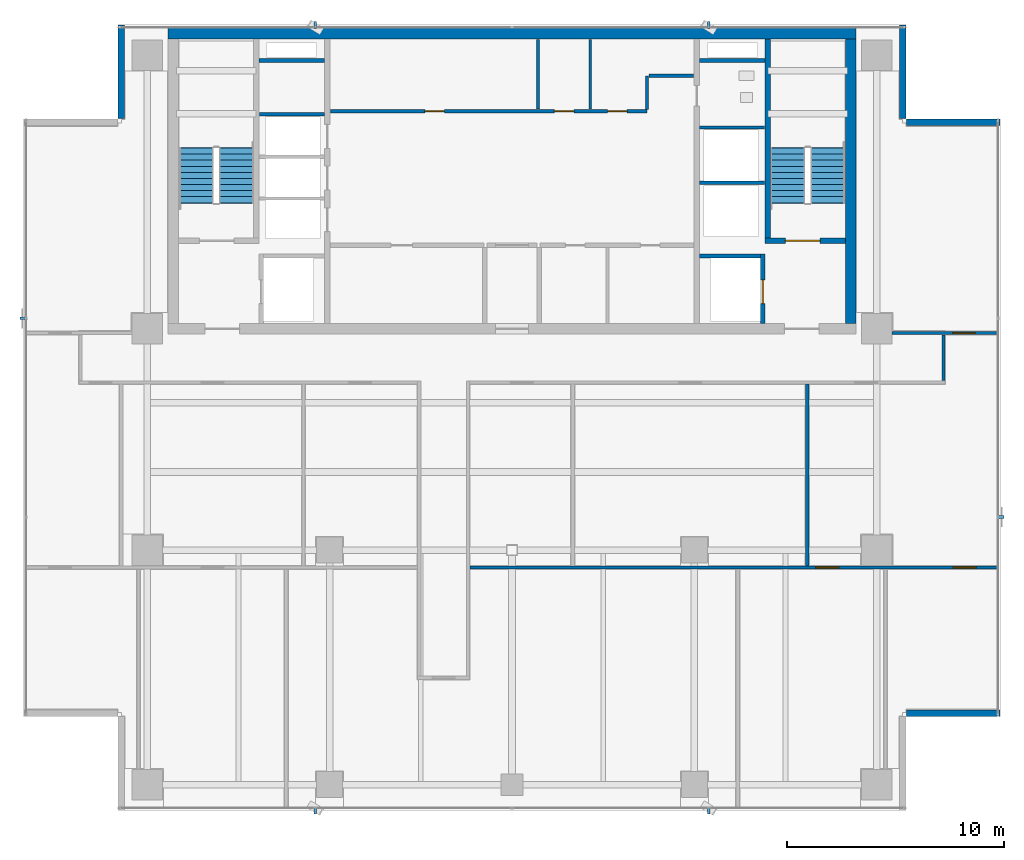
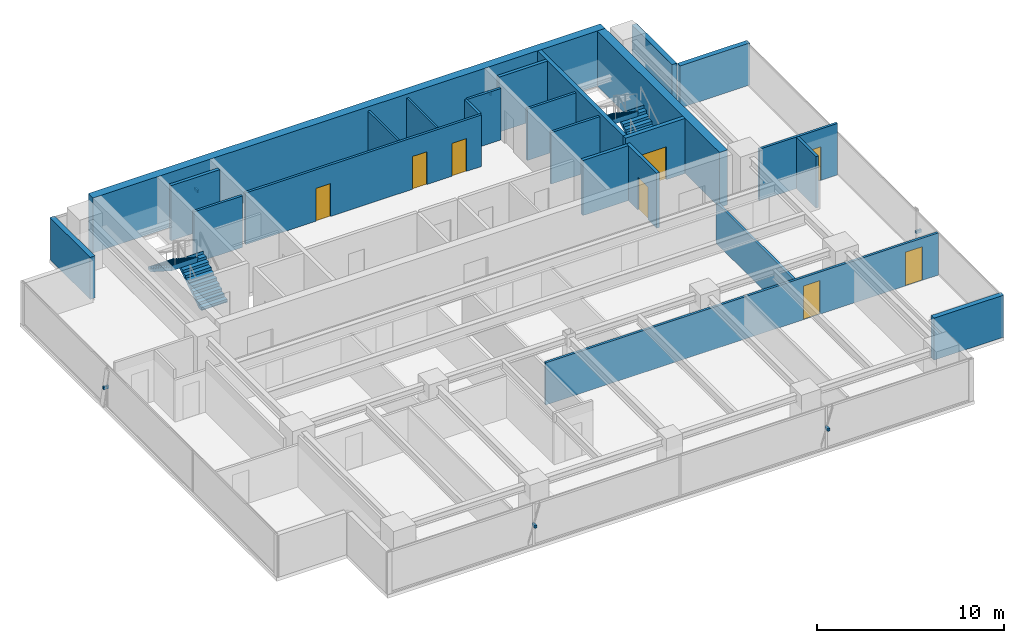
# One storey, part 21 of 26: 24 walls, 8 doors, 6 discrete accessories, 4 stair flights, 8 openings, 2 elements without a shape of their own.
"""IFC4 building model written with IfcOpenShell, lengths in metres."""

from ifc_helpers import new_model, si_unit, direction, frame, frame_2d, origin, origin_2d, place, context, subcontext, project, spatial, polyline, rectangle, outline, extrude, source, transform, mapped, material, layer, layer_set, material_profile, profile_set, type_object, element, fill, aggregate, save


model = new_model("IFC4")

# Units and contexts
model_context = context("Model", 3, precision=1e-05, world=origin(), true_north=direction((0.0, 1.0)))
body_context = subcontext(model_context, "Body", "Model", "MODEL_VIEW")
ifc_project = project(units=[si_unit("LENGTHUNIT", "METRE"), si_unit("AREAUNIT", "SQUARE_METRE"), si_unit("VOLUMEUNIT", "CUBIC_METRE"), si_unit("PLANEANGLEUNIT", "RADIAN"), si_unit("MASSUNIT", "GRAM", prefix="KILO")], contexts=[model_context])

# Site, building, storey
site_placement = place(None, origin())
site = spatial("IfcSite", under=ifc_project, at=site_placement, CompositionType="ELEMENT")
building_placement = place(site_placement, origin())
building = spatial("IfcBuilding", under=site, at=building_placement, Name="Sumidabori Civic Tower", CompositionType="ELEMENT")
storey_placement = place(building_placement, frame((0.0, 0.0, 243.199951171875)))
storey = spatial("IfcBuildingStorey", under=building, at=storey_placement, Name="L63", CompositionType="ELEMENT", Elevation=243.199951171875)

# Walls
ifc_material_1 = material(Name="Concrete C50/60", Category="concrete")
ifc_layer_1 = layer(ifc_material_1, 0.199951171875, Name="Concrete C50/60")
ifc_layer_set_1 = layer_set([ifc_layer_1], Name="Concrete C50/60")
wall_type_1 = type_object("IfcWallType", Name="WL-SHAFT-200", PredefinedType="SHEAR", material=ifc_layer_set_1)
shared_shape_1 = source(origin(), body_context, "Body", "SweptSolid", [
    extrude(rectangle(XDim=2.824951171875, YDim=0.199951171875, at=frame_2d((1.41259765625, 0.0))), origin(), (0.0, 0.0, 1.0), 3.60009765625),
])
wall_1_placement = place(storey_placement, frame((8.625, 13.550048828125, 0.0), z_axis=(0.0, 0.0, 1.0), x_axis=(1.0, 0.0, 0.0)))
element("IfcWall", 1, at=wall_1_placement, inside=storey, type_object=wall_type_1, Name="Core Shear Wall L63 EL2-N", PredefinedType="SHEAR", context=body_context, shape_type="MappedRepresentation", body=[
    mapped(shared_shape_1, transform((0.0, 0.0, 0.0), x_axis=(1.0, 0.0, 0.0), y_axis=(0.0, 1.0, 0.0), z_axis=(0.0, 0.0, 1.0), scale=1.0)),
])
shared_shape_2 = source(origin(), body_context, "Body", "SweptSolid", [
    extrude(rectangle(XDim=3.02001953125, YDim=0.199951171875, at=frame_2d((1.510009765625, 0.0))), origin(), (0.0, 0.0, 1.0), 3.60009765625),
])
for number, where, z_axis, x_axis, name in (
    (2, (-11.64501953125, 22.550048828125, 0.0), (0.0, 0.0, 1.0), (1.0, 0.0, 0.0), "Core Shear Wall L63 RIS1-S"),
    (3, (8.625, 22.550048828125, 0.0), (0.0, 0.0, 1.0), (1.0, 0.0, 0.0), "Core Shear Wall L63 RIS2-S"),
):
    element("IfcWall", number, at=place(storey_placement, frame(where, z_axis=z_axis, x_axis=x_axis)), inside=storey, type_object=wall_type_1, Name=name, PredefinedType="SHEAR", context=body_context, shape_type="MappedRepresentation", body=[
        mapped(shared_shape_2, transform((0.0, 0.0, 0.0), x_axis=(1.0, 0.0, 0.0), y_axis=(0.0, 1.0, 0.0), z_axis=(0.0, 0.0, 1.0), scale=1.0)),
    ])
ifc_layer_2 = layer(ifc_material_1, 0.5, Name="Concrete C50/60")
ifc_layer_set_2 = layer_set([ifc_layer_2], Name="Concrete C50/60")
wall_type_2 = type_object("IfcWallType", Name="WL-CORE-500", PredefinedType="SHEAR", material=ifc_layer_set_2)
shared_shape_3 = source(origin(), body_context, "Body", "SweptSolid", [
    extrude(rectangle(XDim=31.7001953125, YDim=0.5, at=frame_2d((15.85009765625, 0.0))), origin(), (0.0, 0.0, 1.0), 3.60009765625),
])
wall_2_placement = place(storey_placement, frame((-15.85009765625, 23.800048828125, 0.0), z_axis=(0.0, 0.0, 1.0), x_axis=(1.0, 0.0, 0.0)))
element("IfcWall", 4, at=wall_2_placement, inside=storey, type_object=wall_type_2, Name="Core Shear Wall L63 N", PredefinedType="SHEAR", context=body_context, shape_type="MappedRepresentation", body=[
    mapped(shared_shape_3, transform((0.0, 0.0, 0.0), x_axis=(1.0, 0.0, 0.0), y_axis=(0.0, 1.0, 0.0), z_axis=(0.0, 0.0, 1.0), scale=1.0)),
])
shared_shape_4 = source(origin(), body_context, "Body", "SweptSolid", [
    extrude(rectangle(XDim=13.10009765625, YDim=0.5, at=frame_2d((6.550048828125, 0.0))), origin(), (0.0, 0.0, 1.0), 3.60009765625),
])
wall_3_placement = place(storey_placement, frame((15.60009765625, 10.449951171875, 0.0), z_axis=(0.0, 0.0, 1.0), x_axis=(0.0, 1.0, 0.0)))
element("IfcWall", 5, at=wall_3_placement, inside=storey, type_object=wall_type_2, Name="Core Shear Wall L63 E", PredefinedType="SHEAR", context=body_context, shape_type="MappedRepresentation", body=[
    mapped(shared_shape_4, transform((0.0, 0.0, 0.0), x_axis=(1.0, 0.0, 0.0), y_axis=(0.0, 1.0, 0.0), z_axis=(0.0, 0.0, 1.0), scale=1.0)),
])

# Wall, opening, door
ifc_layer_3 = layer(ifc_material_1, 0.25, Name="Concrete C50/60")
ifc_layer_set_3 = layer_set([ifc_layer_3], Name="Concrete C50/60")
wall_type_3 = type_object("IfcWallType", Name="WL-SHAFT-250", PredefinedType="SHEAR", material=ifc_layer_set_3)
shared_shape_5 = source(origin(), body_context, "Body", "SweptSolid", [
    extrude(rectangle(XDim=3.705078125, YDim=0.25, at=frame_2d((1.8525390625, 0.0))), origin(), (0.0, 0.0, 1.0), 3.60009765625),
])
wall_4_placement = place(storey_placement, frame((11.64501953125, 14.25, 0.0), z_axis=(0.0, 0.0, 1.0), x_axis=(1.0, 0.0, 0.0)))
wall_4 = element("IfcWall", 6, at=wall_4_placement, inside=storey, type_object=wall_type_3, Name="Core Shear Wall L63 ST2-S", PredefinedType="SHEAR", context=body_context, shape_type="MappedRepresentation", body=[
    mapped(shared_shape_5, transform((0.0, 0.0, 0.0), x_axis=(1.0, 0.0, 0.0), y_axis=(0.0, 1.0, 0.0), z_axis=(0.0, 0.0, 1.0), scale=1.0)),
])
opening_1_placement = place(wall_4_placement, frame((0.949951171875, 0.0, 0.0)))
opening_1 = element("IfcOpeningElement", 7, at=opening_1_placement, cuts=wall_4, Name="Opening DR-FD4", PredefinedType="OPENING", context=body_context, shape_type="SweptSolid", body=[
    extrude(rectangle(XDim=1.60009765625, YDim=2.14990234375, at=frame_2d((0.800048828125, 1.074951171875))), frame((0.0, 0.136962890625, 0.0), z_axis=(0.0, -1.0, 0.0), x_axis=(1.0, 0.0, 0.0)), (0.0, 0.0, 1.0), 0.27392578125),
])
ifc_material_2 = material(Name="Steel SN490", Category="steel")
door_type_1 = type_object("IfcDoorType", Name="DR-FD4", OperationType="DOUBLE_DOOR_SINGLE_SWING", PredefinedType="DOOR", material=ifc_material_2)
shared_shape_6 = source(origin(), body_context, "Body", "SweptSolid", [
    extrude(rectangle(XDim=1.60009765625, YDim=2.14990234375, at=frame_2d((0.800048828125, 1.074951171875))), frame((0.0, 0.02490234375, 0.0), z_axis=(0.0, -1.0, 0.0), x_axis=(1.0, 0.0, 0.0)), (0.0, 0.0, 1.0), 0.050048828125),
])
door_1_placement = place(opening_1_placement, origin())
door_1 = element("IfcDoor", 8, at=door_1_placement, inside=storey, type_object=door_type_1, Name="Door DR:L63:ST2", OperationType="DOUBLE_DOOR_SINGLE_SWING", OverallHeight=2.14990234375, OverallWidth=1.60009765625, PredefinedType="DOOR", context=body_context, shape_type="MappedRepresentation", body=[
    mapped(shared_shape_6, transform((0.0, 0.0, 0.0), x_axis=(1.0, 0.0, 0.0), y_axis=(0.0, 1.0, 0.0), z_axis=(0.0, 0.0, 1.0), scale=1.0)),
])
fill(opening_1, door_1)

# Wall
shared_shape_7 = source(origin(), body_context, "Body", "SweptSolid", [
    extrude(rectangle(XDim=9.175048828125, YDim=0.25, at=frame_2d((4.58740234375, 0.0))), origin(), (0.0, 0.0, 1.0), 3.60009765625),
])
wall_5_placement = place(storey_placement, frame((11.77001953125, 14.375, 0.0), z_axis=(0.0, 0.0, 1.0), x_axis=(0.0, 1.0, 0.0)))
element("IfcWall", 9, at=wall_5_placement, inside=storey, type_object=wall_type_3, Name="Core Shear Wall L63 ST2-W", PredefinedType="SHEAR", context=body_context, shape_type="MappedRepresentation", body=[
    mapped(shared_shape_7, transform((0.0, 0.0, 0.0), x_axis=(1.0, 0.0, 0.0), y_axis=(0.0, 1.0, 0.0), z_axis=(0.0, 0.0, 1.0), scale=1.0)),
])

# Wall, opening, door
shared_shape_8 = source(origin(), body_context, "Body", "SweptSolid", [
    extrude(rectangle(XDim=3.199951171875, YDim=0.199951171875, at=frame_2d((1.60009765625, 0.0))), origin(), (0.0, 0.0, 1.0), 3.60009765625),
])
wall_6_placement = place(storey_placement, frame((11.550048828125, 10.449951171875, 0.0), z_axis=(0.0, 0.0, 1.0), x_axis=(0.0, 1.0, 0.0)))
wall_6 = element("IfcWall", 10, at=wall_6_placement, inside=storey, type_object=wall_type_1, Name="Core Shear Wall L63 EL2-E", PredefinedType="SHEAR", context=body_context, shape_type="MappedRepresentation", body=[
    mapped(shared_shape_8, transform((0.0, 0.0, 0.0), x_axis=(1.0, 0.0, 0.0), y_axis=(0.0, 1.0, 0.0), z_axis=(0.0, 0.0, 1.0), scale=1.0)),
])
opening_2_placement = place(wall_6_placement, frame((0.89990234375, 0.0, 0.0)))
opening_2 = element("IfcOpeningElement", 11, at=opening_2_placement, cuts=wall_6, Name="Opening LD-2", PredefinedType="OPENING", context=body_context, shape_type="SweptSolid", body=[
    extrude(rectangle(XDim=1.10009765625, YDim=2.14990234375, at=frame_2d((0.550048828125, 1.074951171875))), frame((0.0, 0.11181640625, 0.0), z_axis=(0.0, -1.0, 0.0), x_axis=(1.0, 0.0, 0.0)), (0.0, 0.0, 1.0), 0.223876953125),
])
ifc_material_3 = material(Name="Stainless Steel Hairline Finish", Category="steel")
door_type_2 = type_object("IfcDoorType", Name="DR-LD2", OperationType="DOUBLE_DOOR_SLIDING", PredefinedType="DOOR", material=ifc_material_3)
shared_shape_9 = source(origin(), body_context, "Body", "SweptSolid", [
    extrude(rectangle(XDim=1.10009765625, YDim=2.14990234375, at=frame_2d((0.550048828125, 1.074951171875))), frame((0.0, 0.02490234375, 0.0), z_axis=(0.0, -1.0, 0.0), x_axis=(1.0, 0.0, 0.0)), (0.0, 0.0, 1.0), 0.050048828125),
])
door_2_placement = place(opening_2_placement, origin())
door_2 = element("IfcDoor", 12, at=door_2_placement, inside=storey, type_object=door_type_2, Name="Door DR:L63:LD-EL2", OperationType="DOUBLE_DOOR_SLIDING", OverallHeight=2.14990234375, OverallWidth=1.10009765625, PredefinedType="DOOR", context=body_context, shape_type="MappedRepresentation", body=[
    mapped(shared_shape_9, transform((0.0, 0.0, 0.0), x_axis=(1.0, 0.0, 0.0), y_axis=(0.0, 1.0, 0.0), z_axis=(0.0, 0.0, 1.0), scale=1.0)),
])
fill(opening_2, door_2)

# Walls
ifc_material_4 = material(Name="Precast concrete C40/50", Category="concrete")
ifc_layer_4 = layer(ifc_material_4, 0.300048828125, Name="Precast concrete C40/50")
ifc_layer_set_4 = layer_set([ifc_layer_4], Name="Precast concrete C40/50")
wall_type_4 = type_object("IfcWallType", Name="WL-EXT-POD300", PredefinedType="STANDARD", material=ifc_layer_set_4)
shared_shape_10 = source(origin(), body_context, "Body", "SweptSolid", [
    extrude(rectangle(XDim=4.31005859375, YDim=0.300048828125, at=frame_2d((2.155029296875, 0.0))), origin(), (0.0, 0.0, 1.0), 2.75),
])
for number, where, z_axis, x_axis, name in (
    (13, (18.169921875, -7.5, 0.0), (0.0, 0.0, 1.0), (1.0, 0.0, 0.0), "Notched Corner Spandrel Band L63-03"),
    (14, (22.47998046875, 19.699951171875, 0.0), (0.0, 0.0, 1.0), (-1.0, 0.0, 0.0), "Notched Corner Spandrel Band L63-05"),
):
    element("IfcWall", number, at=place(storey_placement, frame(where, z_axis=z_axis, x_axis=x_axis)), inside=storey, type_object=wall_type_4, Name=name, PredefinedType="STANDARD", context=body_context, shape_type="MappedRepresentation", body=[
        mapped(shared_shape_10, transform((0.0, 0.0, 0.0), x_axis=(1.0, 0.0, 0.0), y_axis=(0.0, 1.0, 0.0), z_axis=(0.0, 0.0, 1.0), scale=1.0)),
    ])
shared_shape_11 = source(origin(), body_context, "Body", "SweptSolid", [
    extrude(rectangle(XDim=4.309814453125, YDim=0.300048828125, at=frame_2d((2.15478515625, 0.0))), origin(), (0.0, 0.0, 1.0), 2.75),
])
for number, where, z_axis, x_axis, name in (
    (15, (18.0, 19.8701171875, 0.0), (0.0, 0.0, 1.0), (0.0, 1.0, 0.0), "Notched Corner Spandrel Band L63-06"),
    (16, (-18.0, 24.179931640625, 0.0), (0.0, 0.0, 1.0), (0.0, -1.0, 0.0), "Notched Corner Spandrel Band L63-08"),
):
    element("IfcWall", number, at=place(storey_placement, frame(where, z_axis=z_axis, x_axis=x_axis)), inside=storey, type_object=wall_type_4, Name=name, PredefinedType="STANDARD", context=body_context, shape_type="MappedRepresentation", body=[
        mapped(shared_shape_11, transform((0.0, 0.0, 0.0), x_axis=(1.0, 0.0, 0.0), y_axis=(0.0, 1.0, 0.0), z_axis=(0.0, 0.0, 1.0), scale=1.0)),
    ])
ifc_material_5 = material(Name="Gypsum Plasterboard Acoustic Partition")
ifc_layer_5 = layer(ifc_material_5, 0.14990234375, Name="Gypsum Plasterboard Acoustic Partition")
ifc_layer_set_5 = layer_set([ifc_layer_5], Name="Gypsum Plasterboard Acoustic Partition")
wall_type_5 = type_object("IfcWallType", Name="WL-PART-150", PredefinedType="PARTITIONING", material=ifc_layer_set_5)
shared_shape_12 = source(origin(), body_context, "Body", "SweptSolid", [
    extrude(rectangle(XDim=3.010009765625, YDim=0.14990234375, at=frame_2d((1.5048828125, 0.0))), origin(), (0.0, 0.0, 1.0), 3.3701171875),
])
for number, where, z_axis, x_axis, name in (
    (17, (-11.639892578125, 20.080078125, 0.0), (0.0, 0.0, 1.0), (1.0, 0.0, 0.0), "Interior Partition WL:L63:DIV-PLH3"),
    (18, (8.6298828125, 16.919921875, 0.0), (0.0, 0.0, 1.0), (1.0, 0.0, 0.0), "Interior Partition WL:L63:DIV-OBS1"),
    (19, (8.6298828125, 19.469970703125, 0.0), (0.0, 0.0, 1.0), (1.0, 0.0, 0.0), "Interior Partition WL:L63:DIV-OBS2"),
):
    element("IfcWall", number, at=place(storey_placement, frame(where, z_axis=z_axis, x_axis=x_axis)), inside=storey, type_object=wall_type_5, Name=name, PredefinedType="PARTITIONING", context=body_context, shape_type="MappedRepresentation", body=[
        mapped(shared_shape_12, transform((0.0, 0.0, 0.0), x_axis=(1.0, 0.0, 0.0), y_axis=(0.0, 1.0, 0.0), z_axis=(0.0, 0.0, 1.0), scale=1.0)),
    ])

# Wall, openings, doors
shared_shape_13 = source(origin(), body_context, "Body", "SweptSolid", [
    extrude(rectangle(XDim=14.590087890625, YDim=0.14990234375, at=frame_2d((7.294921875, 0.0))), origin(), (0.0, 0.0, 1.0), 3.3701171875),
])
wall_7_placement = place(storey_placement, frame((-8.3701171875, 20.219970703125, 0.0), z_axis=(0.0, 0.0, 1.0), x_axis=(1.0, 0.0, 0.0)))
wall_7 = element("IfcWall", 20, at=wall_7_placement, inside=storey, type_object=wall_type_5, Name="Interior Partition WL:L63:CBAND-M", PredefinedType="PARTITIONING", context=body_context, shape_type="MappedRepresentation", body=[
    mapped(shared_shape_13, transform((0.0, 0.0, 0.0), x_axis=(1.0, 0.0, 0.0), y_axis=(0.0, 1.0, 0.0), z_axis=(0.0, 0.0, 1.0), scale=1.0)),
])
opening_3_placement = place(wall_7_placement, frame((4.360107421875, 0.0, 0.0)))
opening_3 = element("IfcOpeningElement", 21, at=opening_3_placement, cuts=wall_7, Name="Opening DR-1", PredefinedType="OPENING", context=body_context, shape_type="SweptSolid", body=[
    extrude(rectangle(XDim=0.89990234375, YDim=2.14990234375, at=frame_2d((0.449951171875, 1.074951171875))), frame((0.0, 0.0869140625, 0.0), z_axis=(0.0, -1.0, 0.0), x_axis=(1.0, 0.0, 0.0)), (0.0, 0.0, 1.0), 0.173828125),
])
opening_4_placement = place(wall_7_placement, frame((10.320068359375, 0.0, 0.0)))
opening_4 = element("IfcOpeningElement", 22, at=opening_4_placement, cuts=wall_7, Name="Opening DR-1", PredefinedType="OPENING", context=body_context, shape_type="SweptSolid", body=[
    extrude(rectangle(XDim=0.89990234375, YDim=2.14990234375, at=frame_2d((0.449951171875, 1.074951171875))), frame((0.0, 0.0869140625, 0.0), z_axis=(0.0, -1.0, 0.0), x_axis=(1.0, 0.0, 0.0)), (0.0, 0.0, 1.0), 0.173828125),
])
opening_5_placement = place(wall_7_placement, frame((12.77001953125, 0.0, 0.0)))
opening_5 = element("IfcOpeningElement", 23, at=opening_5_placement, cuts=wall_7, Name="Opening DR-1", PredefinedType="OPENING", context=body_context, shape_type="SweptSolid", body=[
    extrude(rectangle(XDim=0.89990234375, YDim=2.14990234375, at=frame_2d((0.449951171875, 1.074951171875))), frame((0.0, 0.0869140625, 0.0), z_axis=(0.0, -1.0, 0.0), x_axis=(1.0, 0.0, 0.0)), (0.0, 0.0, 1.0), 0.173828125),
])
ifc_material_6 = material(Name="Japanese Hinoki Timber", Category="wood")
door_type_3 = type_object("IfcDoorType", Name="DR-INT-900", OperationType="NOTDEFINED", PredefinedType="DOOR", material=ifc_material_6)
shared_shape_14 = source(origin(), body_context, "Body", "SweptSolid", [
    extrude(rectangle(XDim=0.89990234375, YDim=2.14990234375, at=frame_2d((0.449951171875, 1.074951171875))), frame((0.0, 0.02490234375, 0.0), z_axis=(0.0, -1.0, 0.0), x_axis=(1.0, 0.0, 0.0)), (0.0, 0.0, 1.0), 0.050048828125),
])
door_3_placement = place(opening_3_placement, origin())
door_3 = element("IfcDoor", 24, at=door_3_placement, inside=storey, type_object=door_type_3, Name="Door DR:L63:CB-1", OperationType="SINGLE_SWING_LEFT", OverallHeight=2.14990234375, OverallWidth=0.89990234375, PredefinedType="DOOR", context=body_context, shape_type="MappedRepresentation", body=[
    mapped(shared_shape_14, transform((0.0, 0.0, 0.0), x_axis=(1.0, 0.0, 0.0), y_axis=(0.0, 1.0, 0.0), z_axis=(0.0, 0.0, 1.0), scale=1.0)),
])
fill(opening_3, door_3)
door_4_placement = place(opening_4_placement, origin())
door_4 = element("IfcDoor", 25, at=door_4_placement, inside=storey, type_object=door_type_3, Name="Door DR:L63:CB-2", OperationType="SINGLE_SWING_RIGHT", OverallHeight=2.14990234375, OverallWidth=0.89990234375, PredefinedType="DOOR", context=body_context, shape_type="MappedRepresentation", body=[
    mapped(shared_shape_14, transform((0.0, 0.0, 0.0), x_axis=(1.0, 0.0, 0.0), y_axis=(0.0, 1.0, 0.0), z_axis=(0.0, 0.0, 1.0), scale=1.0)),
])
fill(opening_4, door_4)
door_5_placement = place(opening_5_placement, origin())
door_5 = element("IfcDoor", 26, at=door_5_placement, inside=storey, type_object=door_type_3, Name="Door DR:L63:CB-3", OperationType="SINGLE_SWING_LEFT", OverallHeight=2.14990234375, OverallWidth=0.89990234375, PredefinedType="DOOR", context=body_context, shape_type="MappedRepresentation", body=[
    mapped(shared_shape_14, transform((0.0, 0.0, 0.0), x_axis=(1.0, 0.0, 0.0), y_axis=(0.0, 1.0, 0.0), z_axis=(0.0, 0.0, 1.0), scale=1.0)),
])
fill(opening_5, door_5)

# Walls
shared_shape_15 = source(origin(), body_context, "Body", "SweptSolid", [
    extrude(rectangle(XDim=1.550048828125, YDim=0.14990234375, at=frame_2d((0.77490234375, 0.0))), origin(), (0.0, 0.0, 1.0), 3.3701171875),
])
wall_8_placement = place(storey_placement, frame((6.219970703125, 20.300048828125, 0.0), z_axis=(0.0, 0.0, 1.0), x_axis=(0.0, 1.0, 0.0)))
element("IfcWall", 27, at=wall_8_placement, inside=storey, type_object=wall_type_5, Name="Interior Partition WL:L63:CBAND-ME1", PredefinedType="PARTITIONING", context=body_context, shape_type="MappedRepresentation", body=[
    mapped(shared_shape_15, transform((0.0, 0.0, 0.0), x_axis=(1.0, 0.0, 0.0), y_axis=(0.0, 1.0, 0.0), z_axis=(0.0, 0.0, 1.0), scale=1.0)),
])
shared_shape_16 = source(origin(), body_context, "Body", "SweptSolid", [
    extrude(rectangle(XDim=2.070068359375, YDim=0.14990234375, at=frame_2d((1.03515625, 0.0))), origin(), (0.0, 0.0, 1.0), 3.3701171875),
])
wall_9_placement = place(storey_placement, frame((6.300048828125, 21.85009765625, 0.0), z_axis=(0.0, 0.0, 1.0), x_axis=(1.0, 0.0, 0.0)))
element("IfcWall", 28, at=wall_9_placement, inside=storey, type_object=wall_type_5, Name="Interior Partition WL:L63:CBAND-ME2", PredefinedType="PARTITIONING", context=body_context, shape_type="MappedRepresentation", body=[
    mapped(shared_shape_16, transform((0.0, 0.0, 0.0), x_axis=(1.0, 0.0, 0.0), y_axis=(0.0, 1.0, 0.0), z_axis=(0.0, 0.0, 1.0), scale=1.0)),
])
ifc_layer_6 = layer(ifc_material_5, 0.1201171875, Name="Gypsum Plasterboard Acoustic Partition")
ifc_layer_set_6 = layer_set([ifc_layer_6], Name="Gypsum Plasterboard Acoustic Partition")
wall_type_6 = type_object("IfcWallType", Name="WL-PART-120", PredefinedType="PARTITIONING", material=ifc_layer_set_6)
shared_shape_17 = source(origin(), body_context, "Body", "SweptSolid", [
    extrude(rectangle(XDim=3.18994140625, YDim=0.1201171875, at=frame_2d((1.594970703125, 0.0))), origin(), (0.0, 0.0, 1.0), 3.3701171875),
])
for number, where, z_axis, x_axis, name in (
    (29, (1.199951171875, 20.320068359375, 0.0), (0.0, 0.0, 1.0), (0.0, 1.0, 0.0), "Interior Partition WL:L63:LV8-S1"),
    (30, (3.60009765625, 20.320068359375, 0.0), (0.0, 0.0, 1.0), (0.0, 1.0, 0.0), "Interior Partition WL:L63:LV8-S2"),
):
    element("IfcWall", number, at=place(storey_placement, frame(where, z_axis=z_axis, x_axis=x_axis)), inside=storey, type_object=wall_type_6, Name=name, PredefinedType="PARTITIONING", context=body_context, shape_type="MappedRepresentation", body=[
        mapped(shared_shape_17, transform((0.0, 0.0, 0.0), x_axis=(1.0, 0.0, 0.0), y_axis=(0.0, 1.0, 0.0), z_axis=(0.0, 0.0, 1.0), scale=1.0)),
    ])

# Wall, opening, door
shared_shape_18 = source(origin(), body_context, "Body", "SweptSolid", [
    extrude(rectangle(XDim=4.840087890625, YDim=0.14990234375, at=frame_2d((2.419921875, 0.0))), origin(), (0.0, 0.0, 1.0), 3.3701171875),
])
wall_10_placement = place(storey_placement, frame((17.510009765625, 10.0, 0.0), z_axis=(0.0, 0.0, 1.0), x_axis=(1.0, 0.0, 0.0)))
wall_10 = element("IfcWall", 31, at=wall_10_placement, inside=storey, type_object=wall_type_5, Name="Interior Partition WL:L63:FLK-NE", PredefinedType="PARTITIONING", context=body_context, shape_type="MappedRepresentation", body=[
    mapped(shared_shape_18, transform((0.0, 0.0, 0.0), x_axis=(1.0, 0.0, 0.0), y_axis=(0.0, 1.0, 0.0), z_axis=(0.0, 0.0, 1.0), scale=1.0)),
])
opening_6_placement = place(wall_10_placement, frame((2.780029296875, 0.0, 0.0)))
opening_6 = element("IfcOpeningElement", 32, at=opening_6_placement, cuts=wall_10, Name="Opening DR-4", PredefinedType="OPENING", context=body_context, shape_type="SweptSolid", body=[
    extrude(rectangle(XDim=1.0400390625, YDim=2.199951171875, at=frame_2d((0.52001953125, 1.10009765625))), frame((0.0, 0.0869140625, 0.0), z_axis=(0.0, -1.0, 0.0), x_axis=(1.0, 0.0, 0.0)), (0.0, 0.0, 1.0), 0.173828125),
])
door_type_4 = type_object("IfcDoorType", Name="DR-INT-1040", OperationType="NOTDEFINED", PredefinedType="DOOR", material=ifc_material_6)
shared_shape_19 = source(origin(), body_context, "Body", "SweptSolid", [
    extrude(rectangle(XDim=1.0400390625, YDim=2.199951171875, at=frame_2d((0.52001953125, 1.10009765625))), frame((0.0, 0.02490234375, 0.0), z_axis=(0.0, -1.0, 0.0), x_axis=(1.0, 0.0, 0.0)), (0.0, 0.0, 1.0), 0.050048828125),
])
door_6_placement = place(opening_6_placement, origin())
door_6 = element("IfcDoor", 33, at=door_6_placement, inside=storey, type_object=door_type_4, Name="Door DR:L63:D09", OperationType="SINGLE_SWING_LEFT", OverallHeight=2.199951171875, OverallWidth=1.0400390625, PredefinedType="DOOR", context=body_context, shape_type="MappedRepresentation", body=[
    mapped(shared_shape_19, transform((0.0, 0.0, 0.0), x_axis=(1.0, 0.0, 0.0), y_axis=(0.0, 1.0, 0.0), z_axis=(0.0, 0.0, 1.0), scale=1.0)),
])
fill(opening_6, door_6)

# Wall
shared_shape_20 = source(origin(), body_context, "Body", "SweptSolid", [
    extrude(rectangle(XDim=2.114990234375, YDim=0.14990234375, at=frame_2d((1.0576171875, 0.0))), origin(), (0.0, 0.0, 1.0), 3.3701171875),
])
wall_11_placement = place(storey_placement, frame((19.875, 7.804931640625, 0.0), z_axis=(0.0, 0.0, 1.0), x_axis=(0.0, 1.0, 0.0)))
element("IfcWall", 34, at=wall_11_placement, inside=storey, type_object=wall_type_5, Name="Interior Partition WL:L63:CORR-VNE", PredefinedType="PARTITIONING", context=body_context, shape_type="MappedRepresentation", body=[
    mapped(shared_shape_20, transform((0.0, 0.0, 0.0), x_axis=(1.0, 0.0, 0.0), y_axis=(0.0, 1.0, 0.0), z_axis=(0.0, 0.0, 1.0), scale=1.0)),
])

# Wall, openings, doors
shared_shape_21 = source(origin(), body_context, "Body", "SweptSolid", [
    extrude(rectangle(XDim=24.295166015625, YDim=0.14990234375, at=frame_2d((12.1474609375, 0.0))), origin(), (0.0, 0.0, 1.0), 2.755126953125),
])
wall_12_placement = place(storey_placement, frame((-1.945068359375, -0.800048828125, 0.0), z_axis=(0.0, 0.0, 1.0), x_axis=(1.0, 0.0, 0.0)))
wall_12 = element("IfcWall", 35, at=wall_12_placement, inside=storey, type_object=wall_type_5, Name="Interior Partition WL:L63:BAND-Y-2", PredefinedType="PARTITIONING", context=body_context, shape_type="MappedRepresentation", body=[
    mapped(shared_shape_21, transform((0.0, 0.0, 0.0), x_axis=(1.0, 0.0, 0.0), y_axis=(0.0, 1.0, 0.0), z_axis=(0.0, 0.0, 1.0), scale=1.0)),
])
opening_7_placement = place(wall_12_placement, frame((22.277587890625, 0.0, 0.0)))
opening_7 = element("IfcOpeningElement", 36, at=opening_7_placement, cuts=wall_12, Name="Opening DR-4", PredefinedType="OPENING", context=body_context, shape_type="SweptSolid", body=[
    extrude(rectangle(XDim=1.0400390625, YDim=2.199951171875, at=frame_2d((0.52001953125, 1.10009765625))), frame((0.0, 0.0869140625, 0.0), z_axis=(0.0, -1.0, 0.0), x_axis=(1.0, 0.0, 0.0)), (0.0, 0.0, 1.0), 0.173828125),
])
opening_8_placement = place(wall_12_placement, frame((15.945068359375, 0.0, 0.0)))
opening_8 = element("IfcOpeningElement", 37, at=opening_8_placement, cuts=wall_12, Name="Opening DR-4", PredefinedType="OPENING", context=body_context, shape_type="SweptSolid", body=[
    extrude(rectangle(XDim=1.0400390625, YDim=2.199951171875, at=frame_2d((0.52001953125, 1.10009765625))), frame((0.0, 0.0869140625, 0.0), z_axis=(0.0, -1.0, 0.0), x_axis=(1.0, 0.0, 0.0)), (0.0, 0.0, 1.0), 0.173828125),
])
door_7_placement = place(opening_7_placement, origin())
door_7 = element("IfcDoor", 38, at=door_7_placement, inside=storey, type_object=door_type_4, Name="Door DR:L63:D11", OperationType="SINGLE_SWING_LEFT", OverallHeight=2.199951171875, OverallWidth=1.0400390625, PredefinedType="DOOR", context=body_context, shape_type="MappedRepresentation", body=[
    mapped(shared_shape_19, transform((0.0, 0.0, 0.0), x_axis=(1.0, 0.0, 0.0), y_axis=(0.0, 1.0, 0.0), z_axis=(0.0, 0.0, 1.0), scale=1.0)),
])
fill(opening_7, door_7)
door_8_placement = place(opening_8_placement, origin())
door_8 = element("IfcDoor", 39, at=door_8_placement, inside=storey, type_object=door_type_4, Name="Door DR:L63:D13", OperationType="SINGLE_SWING_LEFT", OverallHeight=2.199951171875, OverallWidth=1.0400390625, PredefinedType="DOOR", context=body_context, shape_type="MappedRepresentation", body=[
    mapped(shared_shape_19, transform((0.0, 0.0, 0.0), x_axis=(1.0, 0.0, 0.0), y_axis=(0.0, 1.0, 0.0), z_axis=(0.0, 0.0, 1.0), scale=1.0)),
])
fill(opening_8, door_8)

# Wall
shared_shape_22 = source(origin(), body_context, "Body", "SweptSolid", [
    extrude(rectangle(XDim=8.364990234375, YDim=0.14990234375, at=frame_2d((4.1826171875, 0.0))), origin(), (0.0, 0.0, 1.0), 2.655029296875),
])
wall_13_placement = place(storey_placement, frame((13.60009765625, -0.719970703125, 0.0), z_axis=(0.0, 0.0, 1.0), x_axis=(0.0, 1.0, 0.0)))
element("IfcWall", 40, at=wall_13_placement, inside=storey, type_object=wall_type_5, Name="Interior Partition WL:L63:VX-N4", PredefinedType="PARTITIONING", context=body_context, shape_type="MappedRepresentation", body=[
    mapped(shared_shape_22, transform((0.0, 0.0, 0.0), x_axis=(1.0, 0.0, 0.0), y_axis=(0.0, 1.0, 0.0), z_axis=(0.0, 0.0, 1.0), scale=1.0)),
])

# Stair, stair flights
ifc_material_7 = material(Name="Concrete C40/50", Category="concrete")
stair_type = type_object("IfcStairType", Name="ST-CORE-1600", PredefinedType="HALF_TURN_STAIR", material=ifc_material_7)
stair_1_placement = place(storey_placement, origin())
stair_1 = element("IfcStair", 41, at=stair_1_placement, inside=storey, type_object=stair_type, Name="L63 ST-1", PredefinedType="HALF_TURN_STAIR")
stair_flight_type = type_object("IfcStairFlightType", Name="SF-CORE-1600", PredefinedType="STRAIGHT", material=ifc_material_7)
shared_shape_23 = source(origin(), body_context, "Body", "SweptSolid", [
    extrude(outline(polyline([(-0.02490234375, 0.0), (-0.02490234375, 0.0400390625), (0.0, 0.0400390625), (0.0, 0.179931640625), (0.280029296875, 0.179931640625), (0.280029296875, 0.360107421875), (0.56005859375, 0.360107421875), (0.56005859375, 0.5400390625), (0.840087890625, 0.5400390625), (0.840087890625, 0.719970703125), (1.1201171875, 0.719970703125), (1.1201171875, 0.89990234375), (1.39990234375, 0.89990234375), (1.39990234375, 1.080078125), (1.679931640625, 1.080078125), (1.679931640625, 1.260009765625), (1.9599609375, 1.260009765625), (1.9599609375, 1.43994140625), (2.239990234375, 1.43994140625), (2.239990234375, 1.6201171875), (2.52001953125, 1.6201171875), (2.52001953125, 1.800048828125), (2.544921875, 1.800048828125), (2.544921875, 1.650146484375), (2.52001953125, 1.44189453125), (0.277099609375, 0.0), (-0.02490234375, 0.0)])), frame((0.0, 0.800048828125, 0.0), z_axis=(0.0, -1.0, 0.0), x_axis=(1.0, 0.0, 0.0)), (0.0, 0.0, 1.0), 1.60009765625),
])
stair_flight_1_placement = place(storey_placement, frame((-12.699951171875, 16.0, 0.0), z_axis=(0.0, 0.0, 1.0), x_axis=(0.0, 1.0, 0.0)))
stair_flight_1 = element("IfcStairFlight", 42, at=stair_flight_1_placement, type_object=stair_flight_type, Name="ST-1 flight 1", NumberOfRisers=10, NumberOfTreads=9, PredefinedType="STRAIGHT", RiserHeight=0.18, TreadLength=0.28, context=body_context, shape_type="MappedRepresentation", body=[
    mapped(shared_shape_23, transform((0.0, 0.0, 0.0), x_axis=(1.0, 0.0, 0.0), y_axis=(0.0, 1.0, 0.0), z_axis=(0.0, 0.0, 1.0), scale=1.0)),
])
stair_flight_2_placement = place(storey_placement, frame((-14.5400390625, 18.52001953125, 1.800048828125), z_axis=(0.0, 0.0, 1.0), x_axis=(0.0, -1.0, 0.0)))
stair_flight_2 = element("IfcStairFlight", 43, at=stair_flight_2_placement, type_object=stair_flight_type, Name="ST-1 flight 2", NumberOfRisers=10, NumberOfTreads=9, PredefinedType="STRAIGHT", RiserHeight=0.18, TreadLength=0.28, context=body_context, shape_type="MappedRepresentation", body=[
    mapped(shared_shape_23, transform((0.0, 0.0, 0.0), x_axis=(1.0, 0.0, 0.0), y_axis=(0.0, 1.0, 0.0), z_axis=(0.0, 0.0, 1.0), scale=1.0)),
])
aggregate(stair_1, [stair_flight_1, stair_flight_2])

stair_2_placement = place(storey_placement, origin())
stair_2 = element("IfcStair", 44, at=stair_2_placement, inside=storey, type_object=stair_type, Name="L63 ST-2", PredefinedType="HALF_TURN_STAIR")
stair_flight_3_placement = place(storey_placement, frame((14.5400390625, 16.0, 0.0), z_axis=(0.0, 0.0, 1.0), x_axis=(0.0, 1.0, 0.0)))
stair_flight_3 = element("IfcStairFlight", 45, at=stair_flight_3_placement, type_object=stair_flight_type, Name="ST-2 flight 1", NumberOfRisers=10, NumberOfTreads=9, PredefinedType="STRAIGHT", RiserHeight=0.18, TreadLength=0.28, context=body_context, shape_type="MappedRepresentation", body=[
    mapped(shared_shape_23, transform((0.0, 0.0, 0.0), x_axis=(1.0, 0.0, 0.0), y_axis=(0.0, 1.0, 0.0), z_axis=(0.0, 0.0, 1.0), scale=1.0)),
])
stair_flight_4_placement = place(storey_placement, frame((12.699951171875, 18.52001953125, 1.800048828125), z_axis=(0.0, 0.0, 1.0), x_axis=(0.0, -1.0, 0.0)))
stair_flight_4 = element("IfcStairFlight", 46, at=stair_flight_4_placement, type_object=stair_flight_type, Name="ST-2 flight 2", NumberOfRisers=10, NumberOfTreads=9, PredefinedType="STRAIGHT", RiserHeight=0.18, TreadLength=0.28, context=body_context, shape_type="MappedRepresentation", body=[
    mapped(shared_shape_23, transform((0.0, 0.0, 0.0), x_axis=(1.0, 0.0, 0.0), y_axis=(0.0, 1.0, 0.0), z_axis=(0.0, 0.0, 1.0), scale=1.0)),
])
aggregate(stair_2, [stair_flight_3, stair_flight_4])

# Discrete accessories
ifc_material_profile = material_profile(ifc_material_3, rectangle(XDim=0.1201171875, YDim=0.179931640625, at=origin_2d()), Name="STEEL BRACKET 180x120")
ifc_profile_set = profile_set([ifc_material_profile], Name="Stainless Steel Hairline Finish")
discrete_accessory_type = type_object("IfcDiscreteAccessoryType", Name="AC-BRK-180", PredefinedType="BRACKET", material=ifc_profile_set)
shared_shape_24 = source(origin(), body_context, "Body", "SweptSolid", [
    extrude(rectangle(XDim=0.1201171875, YDim=0.179931640625, at=origin_2d()), origin(), (0.0, 0.0, 1.0), 0.329833984375),
])
for number, where, z_axis, x_axis, name in (
    (47, (-9.06005859375, -11.830078125, 1.364990234375), (0.0, -1.0, 0.0), (1.0, 0.0, 0.0), "Bronze Fin Fixing Bracket L63-01"),
    (48, (9.06005859375, -11.830078125, 1.364990234375), (0.0, -1.0, 0.0), (1.0, 0.0, 0.0), "Bronze Fin Fixing Bracket L63-03"),
    (49, (22.330078125, 1.526611328125, 1.364990234375), (1.0, 0.0, 0.0), (0.0, 1.0, 0.0), "Bronze Fin Fixing Bracket L63-01"),
    (50, (-22.330078125, 10.67333984375, 1.364990234375), (-1.0, 0.0, 0.0), (0.0, -1.0, 0.0), "Bronze Fin Fixing Bracket L63-01"),
):
    element("IfcDiscreteAccessory", number, at=place(storey_placement, frame(where, z_axis=z_axis, x_axis=x_axis)), inside=storey, type_object=discrete_accessory_type, Name=name, PredefinedType="BRACKET", context=body_context, shape_type="MappedRepresentation", body=[
        mapped(shared_shape_24, transform((0.0, 0.0, 0.0), x_axis=(1.0, 0.0, 0.0), y_axis=(0.0, 1.0, 0.0), z_axis=(0.0, 0.0, 1.0), scale=1.0)),
    ])
shared_shape_25 = source(origin(), body_context, "Body", "SweptSolid", [
    extrude(rectangle(XDim=0.1201171875, YDim=0.179931640625, at=origin_2d()), origin(), (0.0, 0.0, 1.0), 0.330078125),
])
for number, where, z_axis, x_axis, name in (
    (51, (9.06005859375, 24.030029296875, 1.364990234375), (0.0, 1.0, 0.0), (-1.0, 0.0, 0.0), "Bronze Fin Fixing Bracket L63-01"),
    (52, (-9.06005859375, 24.030029296875, 1.364990234375), (0.0, 1.0, 0.0), (-1.0, 0.0, 0.0), "Bronze Fin Fixing Bracket L63-03"),
):
    element("IfcDiscreteAccessory", number, at=place(storey_placement, frame(where, z_axis=z_axis, x_axis=x_axis)), inside=storey, type_object=discrete_accessory_type, Name=name, PredefinedType="BRACKET", context=body_context, shape_type="MappedRepresentation", body=[
        mapped(shared_shape_25, transform((0.0, 0.0, 0.0), x_axis=(1.0, 0.0, 0.0), y_axis=(0.0, 1.0, 0.0), z_axis=(0.0, 0.0, 1.0), scale=1.0)),
    ])

save(model, "model.ifc")
